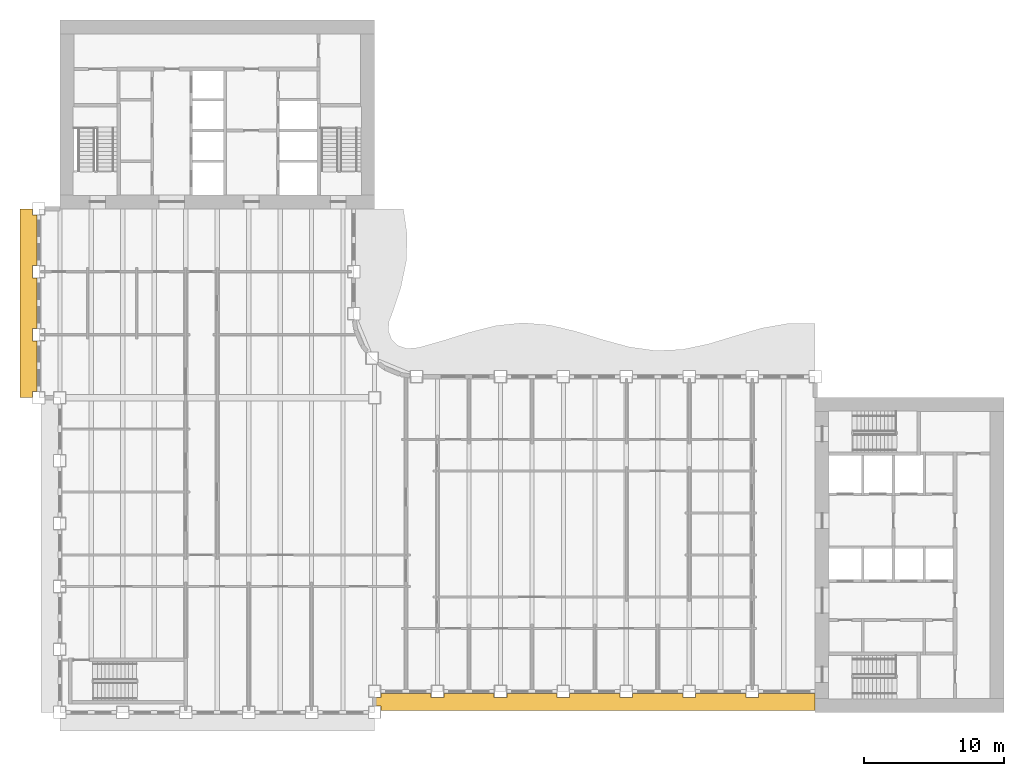
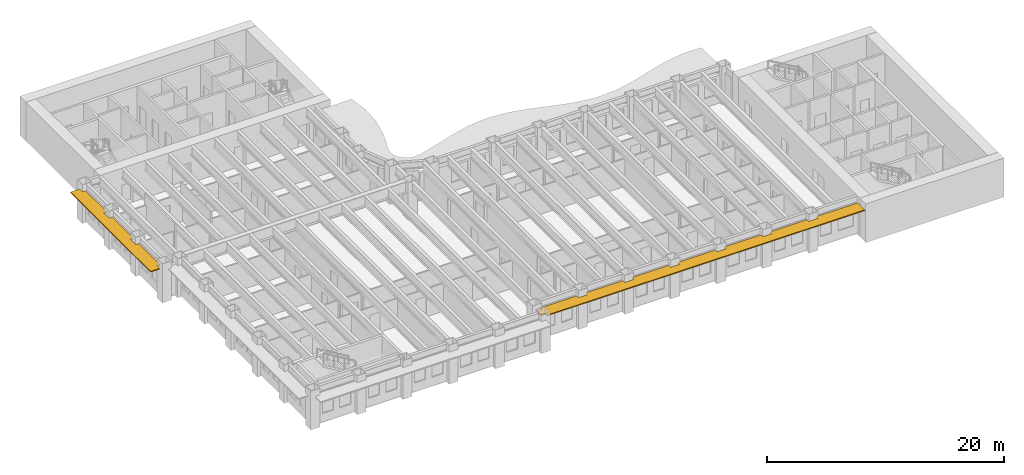
# One storey, part 12 of 16: 2 shading devices.
"""IFC4 building model written with IfcOpenShell, lengths in metres."""

import ifcopenshell
import ifcopenshell.guid

model = None  # the IFC model being written
_history = None  # IfcOwnerHistory: only IFC2X3 demands one
_inside = {}  # id of a spatial element -> (the spatial element, [elements in it])
_under = {}  # id of a project, library or spatial element -> (it, [spatial elements below it])
_declared = {}  # id of a project -> (the project, [libraries it declares])
_typed = {}  # id of a type object -> (the type object, [elements of that type])
_made_of = {}  # id of a material, layer set ... -> (it, [elements and type objects made of it])


def new_model(schema):
    """Start an empty IFC model of exactly this schema.

    Asked for "IFC4X3", IfcOpenShell would pick the latest addendum, in which some entities
    have other attributes; the version numbers below select the first issue.
    IFC2X3 requires an IfcOwnerHistory on every rooted entity: one is made here for all.
    """
    global model, _history
    if schema == "IFC4X3":
        model = ifcopenshell.file(schema_version=(4, 3, 0, 0))
    else:
        model = ifcopenshell.file(schema=schema)
    _inside.clear()
    _under.clear()
    _declared.clear()
    _typed.clear()
    _made_of.clear()
    _history = None
    if model.schema == "IFC2X3":
        org = make("IfcOrganization", Name="unknown")
        user = make(
            "IfcPersonAndOrganization",
            ThePerson=make("IfcPerson", FamilyName="unknown"),
            TheOrganization=org,
        )
        app = make(
            "IfcApplication",
            ApplicationDeveloper=org,
            Version="unknown",
            ApplicationFullName="unknown",
            ApplicationIdentifier="unknown",
        )
        _history = make(
            "IfcOwnerHistory",
            OwningUser=user,
            OwningApplication=app,
            ChangeAction="ADDED",
            CreationDate=0,
        )
    return model


def make(cls, **values):
    """One entity of the class cls with the attributes given. An attribute that is None is left unset."""
    return model.create_entity(
        cls, **{name: value for name, value in values.items() if value is not None}
    )


def rooted(cls, **values):
    """An entity with a GlobalId (a new one), such as an element, a storey or a relation."""
    return make(cls, GlobalId=ifcopenshell.guid.new(), OwnerHistory=_history, **values)


def si_unit(unit_type, name, prefix=None):
    """IfcSIUnit, for example si_unit("LENGTHUNIT", "METRE", prefix="MILLI")."""
    return make("IfcSIUnit", UnitType=unit_type, Prefix=prefix, Name=name)


def assignment(units):
    """IfcUnitAssignment: the units of a project."""
    return None if units is None else make("IfcUnitAssignment", Units=units)


def point(xyz):
    """IfcCartesianPoint."""
    return None if xyz is None else make("IfcCartesianPoint", Coordinates=xyz)


def direction(xyz):
    """IfcDirection."""
    return None if xyz is None else make("IfcDirection", DirectionRatios=xyz)


def frame(location, z_axis=None, x_axis=None):
    """IfcAxis2Placement3D, a coordinate frame: its origin and axes. An axis left out is left unset."""
    return make(
        "IfcAxis2Placement3D",
        Location=point(location),
        Axis=direction(z_axis),
        RefDirection=direction(x_axis),
    )


def origin():
    """The frame at (0, 0, 0) with its axes left unset."""
    return frame((0.0, 0.0, 0.0))


def place(relative_to, where):
    """IfcLocalPlacement: puts the frame where relative to a parent placement (None: the world)."""
    return make(
        "IfcLocalPlacement", PlacementRelTo=relative_to, RelativePlacement=where
    )


def context(
    kind, dimensions, precision=None, world=None, true_north=None, identifier=None
):
    """IfcGeometricRepresentationContext, for example the 3D "Model" context."""
    return make(
        "IfcGeometricRepresentationContext",
        ContextIdentifier=identifier,
        ContextType=kind,
        CoordinateSpaceDimension=dimensions,
        Precision=precision,
        WorldCoordinateSystem=world,
        TrueNorth=true_north,
    )


def subcontext(parent, identifier, kind, view, scale=None):
    """IfcGeometricRepresentationSubContext, for example "Body" below "Model"."""
    return make(
        "IfcGeometricRepresentationSubContext",
        ContextIdentifier=identifier,
        ContextType=kind,
        ParentContext=parent,
        TargetScale=scale,
        TargetView=view,
    )


def project(units=None, contexts=None):
    """IfcProject with its units and contexts."""
    return rooted(
        "IfcProject",
        Name="project",
        RepresentationContexts=contexts,
        UnitsInContext=assignment(units),
    )


def spatial(cls, under=None, at=None, **own):
    """A site, building, storey or space (cls), placed at a placement, below another one or the project."""
    s = rooted(cls, ObjectPlacement=at, **own)
    if under is not None:
        _under.setdefault(under.id(), (under, []))[1].append(s)
    return s


def polyline(points):
    """IfcPolyline through the points."""
    return make("IfcPolyline", Points=[point(p) for p in points])


def outline(outer, holes=None, kind="AREA"):
    """IfcArbitraryClosedProfileDef: a profile drawn as a closed curve; with holes, ...WithVoids."""
    if holes is None:
        return make("IfcArbitraryClosedProfileDef", ProfileType=kind, OuterCurve=outer)
    return make(
        "IfcArbitraryProfileDefWithVoids",
        ProfileType=kind,
        OuterCurve=outer,
        InnerCurves=holes,
    )


def extrude(swept, where, along, depth):
    """IfcExtrudedAreaSolid: the profile swept, set in the frame where, extruded along a direction by depth."""
    return make(
        "IfcExtrudedAreaSolid",
        SweptArea=swept,
        Position=where,
        ExtrudedDirection=direction(along),
        Depth=depth,
    )


def shape(context_of_items, identifier, shape_type, items):
    """IfcShapeRepresentation: the items that make up one representation, for example the "Body"."""
    return make(
        "IfcShapeRepresentation",
        ContextOfItems=context_of_items,
        RepresentationIdentifier=identifier,
        RepresentationType=shape_type,
        Items=items,
    )


def material(Name=None, Category=None):
    """IfcMaterial."""
    return make("IfcMaterial", Name=Name, Category=Category)


def layer(
    of_material, thickness, ventilated=None, Name=None, Category=None, Priority=None
):
    """IfcMaterialLayer: one layer of a wall or slab, of a material (None: an air gap)."""
    return make(
        "IfcMaterialLayer",
        Material=of_material,
        LayerThickness=thickness,
        IsVentilated=ventilated,
        Name=Name,
        Category=Category,
        Priority=Priority,
    )


def layer_set(layers, Name=None):
    """IfcMaterialLayerSet."""
    return make("IfcMaterialLayerSet", MaterialLayers=layers, LayerSetName=Name)


def made_of(thing, what):
    """Note that an element or type object is made of a material, layer set ...; save() writes the relation."""
    if what is not None:
        _made_of.setdefault(what.id(), (what, []))[1].append(thing)
    return thing


def type_object(cls, material=None, **own):
    """A type object (cls), such as IfcWallType, which elements share."""
    return made_of(rooted(cls, **own), material)


def element(
    cls,
    number,
    at=None,
    inside=None,
    cuts=None,
    type_object=None,
    material=None,
    context=None,
    identifier="Body",
    shape_type=None,
    held_by="IfcProductDefinitionShape",
    body=None,
    shapes=None,
    **own,
):
    """One element of the class cls, such as IfcWall. Its Tag is "e" and its number.

    at: its placement. inside: the storey or other place that contains it. cuts: it is an
    opening in that element (IfcRelVoidsElement). A single representation is given by context,
    identifier, shape_type and body (its items); several are given by shapes. held_by: the class
    of the entity that holds the representations. save() writes the other relations.
    """
    e = rooted(cls, Tag="e%d" % number, ObjectPlacement=at, **own)
    if body is not None:
        shapes = [shape(context, identifier, shape_type, body)]
    if shapes is not None:
        e.Representation = make(held_by, Representations=shapes)
    if inside is not None:
        _inside.setdefault(inside.id(), (inside, []))[1].append(e)
    if cuts is not None:
        rooted(
            "IfcRelVoidsElement", RelatingBuildingElement=cuts, RelatedOpeningElement=e
        )
    if type_object is not None:
        _typed.setdefault(type_object.id(), (type_object, []))[1].append(e)
    return made_of(e, material)


def aggregate(whole, parts):
    """IfcRelAggregates: a whole, such as a stair, and the parts it consists of."""
    return rooted("IfcRelAggregates", RelatingObject=whole, RelatedObjects=parts)


def save(model, path):
    """Write the relations noted so far, then the file.

    IfcRelAggregates (storeys below a building ...), IfcRelContainedInSpatialStructure (elements
    in a storey), IfcRelDefinesByType, IfcRelAssociatesMaterial and IfcRelDeclares: one each for
    every whole, place, type object, material and project.
    """
    for whole, parts in _under.values():
        aggregate(whole, parts)
    for where, things in _inside.values():
        rooted(
            "IfcRelContainedInSpatialStructure",
            RelatedElements=things,
            RelatingStructure=where,
        )
    for kind, things in _typed.values():
        rooted("IfcRelDefinesByType", RelatedObjects=things, RelatingType=kind)
    for what, things in _made_of.values():
        rooted("IfcRelAssociatesMaterial", RelatedObjects=things, RelatingMaterial=what)
    for by, libraries in _declared.values():
        rooted("IfcRelDeclares", RelatingContext=by, RelatedDefinitions=libraries)
    model.write(path)


model = new_model("IFC4")

# Units and contexts
model_context = context("Model", 3, precision=1e-05, world=origin(), true_north=direction((0.0, 1.0)))
body_context = subcontext(model_context, "Body", "Model", "MODEL_VIEW")
ifc_project = project(units=[si_unit("LENGTHUNIT", "METRE"), si_unit("AREAUNIT", "SQUARE_METRE"), si_unit("VOLUMEUNIT", "CUBIC_METRE"), si_unit("PLANEANGLEUNIT", "RADIAN"), si_unit("MASSUNIT", "GRAM", prefix="KILO")], contexts=[model_context])

# Site, building, storey
site_placement = place(None, origin())
site = spatial("IfcSite", under=ifc_project, at=site_placement, CompositionType="ELEMENT")
building_placement = place(site_placement, origin())
building = spatial("IfcBuilding", under=site, at=building_placement, Name="Sennacour Bend Tower", CompositionType="ELEMENT")
storey_placement = place(building_placement, frame((0.0, 0.0, 159.0)))
storey = spatial("IfcBuildingStorey", under=building, at=storey_placement, Name="L36", CompositionType="ELEMENT", Elevation=159.0)

# Shading devices
ifc_material = material(Name="Bronze anodised aluminium", Category="aluminium")
ifc_layer = layer(ifc_material, 0.10009765625, Name="Bronze anodised aluminium", Category="aluminium")
ifc_layer_set = layer_set([ifc_layer], Name="Bronze anodised aluminium")
shading_device_type = type_object("IfcShadingDeviceType", Name="SUNSHADE BAND STRAIGHT", PredefinedType="USERDEFINED", material=ifc_layer_set)
shading_device_1_placement = place(storey_placement, frame((0.0, 0.0, 3.049072265625)))
element("IfcShadingDevice", 1, at=shading_device_1_placement, inside=storey, type_object=shading_device_type, Name="Sunshade band L36 A outer face", ObjectType="SUNSHADE", PredefinedType="USERDEFINED", context=body_context, shape_type="SweptSolid", body=[
    extrude(outline(polyline([(26.550048828125, 1.35009765625), (26.550048828125, 1.050048828125), (27.449951171875, 1.050048828125), (27.449951171875, 1.35009765625), (31.050048828125, 1.35009765625), (31.050048828125, 1.050048828125), (31.949951171875, 1.050048828125), (31.949951171875, 1.35009765625), (35.550048828125, 1.35009765625), (35.550048828125, 1.050048828125), (36.449951171875, 1.050048828125), (36.449951171875, 1.35009765625), (40.050048828125, 1.35009765625), (40.050048828125, 1.050048828125), (40.949951171875, 1.050048828125), (40.949951171875, 1.35009765625), (44.550048828125, 1.35009765625), (44.550048828125, 1.050048828125), (45.449951171875, 1.050048828125), (45.449951171875, 1.35009765625), (49.050048828125, 1.35009765625), (49.050048828125, 1.050048828125), (49.949951171875, 1.050048828125), (49.949951171875, 1.35009765625), (54.0, 1.35009765625), (54.0, 0.14990234375), (22.949951171875, 0.14990234375), (22.949951171875, 0.449951171875), (22.5, 0.449951171875), (22.5, 1.050048828125), (22.949951171875, 1.050048828125), (22.949951171875, 1.35009765625), (26.550048828125, 1.35009765625)])), origin(), (0.0, 0.0, 1.0), 0.099853515625),
])
shading_device_2_placement = place(storey_placement, frame((0.0, 0.0, 3.049072265625)))
element("IfcShadingDevice", 2, at=shading_device_2_placement, inside=storey, type_object=shading_device_type, Name="Sunshade band L36 B outer face", ObjectType="SUNSHADE", PredefinedType="USERDEFINED", context=body_context, shape_type="SweptSolid", body=[
    extrude(outline(polyline([(-1.64990234375, 31.949951171875), (-1.949951171875, 31.949951171875), (-1.949951171875, 31.050048828125), (-1.64990234375, 31.050048828125), (-1.64990234375, 27.449951171875), (-1.949951171875, 27.449951171875), (-1.949951171875, 26.550048828125), (-1.64990234375, 26.550048828125), (-1.64990234375, 22.949951171875), (-1.949951171875, 22.949951171875), (-1.949951171875, 22.5), (-2.85009765625, 22.5), (-2.85009765625, 36.0), (-1.949951171875, 36.0), (-1.949951171875, 35.550048828125), (-1.64990234375, 35.550048828125), (-1.64990234375, 31.949951171875)])), origin(), (0.0, 0.0, 1.0), 0.099853515625),
])

save(model, "model.ifc")
